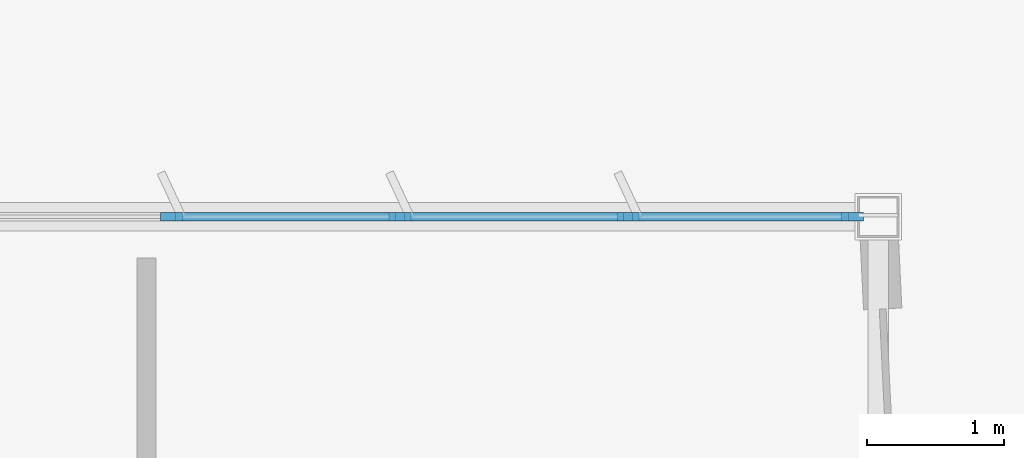
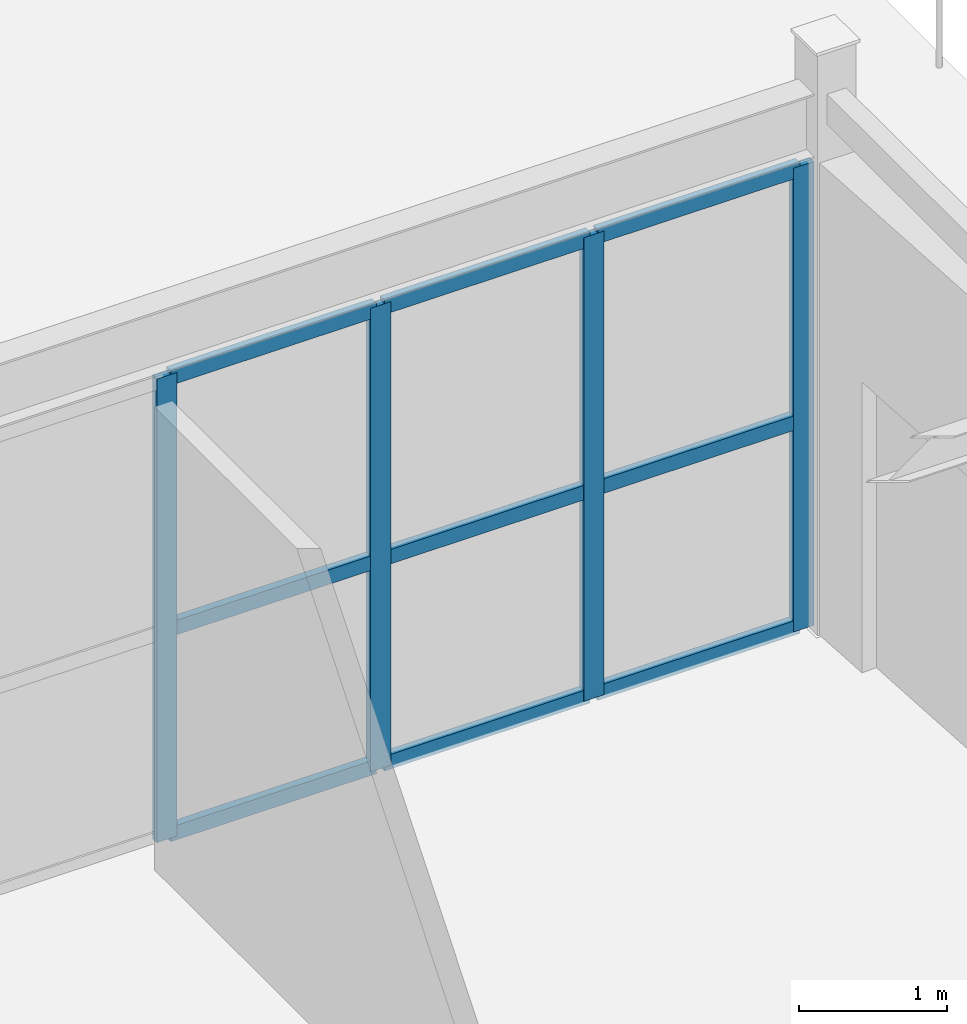
# One storey, part 99 of 199: 13 members, 1 element without a shape of its own.
"""IFC4 building model written with IfcOpenShell, lengths in metres."""

from ifc_helpers import new_model, si_unit, direction, frame, origin, origin_2d, place, context, subcontext, project, spatial, rectangle, extrude, material, layer, layer_set, material_profile, profile_set, type_object, element, aggregate, save


model = new_model("IFC4")

# Units and contexts
model_context = context("Model", 3, precision=1e-05, world=origin(), true_north=direction((0.0, 1.0)))
body_context = subcontext(model_context, "Body", "Model", "MODEL_VIEW")
ifc_project = project(units=[si_unit("LENGTHUNIT", "METRE"), si_unit("AREAUNIT", "SQUARE_METRE"), si_unit("VOLUMEUNIT", "CUBIC_METRE"), si_unit("PLANEANGLEUNIT", "RADIAN"), si_unit("MASSUNIT", "GRAM", prefix="KILO")], contexts=[model_context])

# Site, building, storey
site_placement = place(None, origin())
site = spatial("IfcSite", under=ifc_project, at=site_placement, CompositionType="ELEMENT")
building_placement = place(site_placement, origin())
building = spatial("IfcBuilding", under=site, at=building_placement, Name="Tarnwether General Hospital", CompositionType="ELEMENT")
storey_placement = place(building_placement, origin())
storey = spatial("IfcBuildingStorey", under=building, at=storey_placement, Name="L00", CompositionType="ELEMENT", Elevation=0.0)

# Curtain wall, members
ifc_material_1 = material(Name="Anodised aluminium", Category="aluminium")
ifc_layer = layer(ifc_material_1, 0.159912109375)
ifc_layer_set = layer_set([ifc_layer], Name="Anodised aluminium")
curtain_wall_type = type_object("IfcCurtainWallType", Name="CW-20", PredefinedType="NOTDEFINED", material=ifc_layer_set)
curtain_wall_placement = place(storey_placement, origin())
curtain_wall = element("IfcCurtainWall", 1, at=curtain_wall_placement, inside=storey, type_object=curtain_wall_type, Name="Curtain Wall CWG-L00-1802_456-0289", PredefinedType="NOTDEFINED")
ifc_material_2 = material(Name="Anodised aluminium", Category="aluminium")
ifc_material_profile_1 = material_profile(ifc_material_2, rectangle(XDim=0.06005859375, YDim=0.159912109375, at=origin_2d()), Name="ALU-MUL-60x160")
ifc_profile_set_1 = profile_set([ifc_material_profile_1], Name="Anodised aluminium")
member_type_1 = type_object("IfcMemberType", Name="CW-ML1", PredefinedType="MULLION", material=ifc_profile_set_1)
member_1_placement = place(storey_placement, frame((186.840576171875, 45.60009765625, 0.0), z_axis=(0.0, 0.0, 1.0), x_axis=(0.0, 1.0, 0.0)))
member_1 = element("IfcMember", 2, at=member_1_placement, type_object=member_type_1, Name="CW-20 mullion 5", PredefinedType="MULLION", context=body_context, shape_type="SweptSolid", body=[
    extrude(rectangle(XDim=0.06005859375, YDim=0.159912109375, at=origin_2d()), origin(), (0.0, 0.0, 1.0), 3.827880859375),
])
member_2_placement = place(storey_placement, frame((188.5078125, 45.60009765625, 0.0), z_axis=(0.0, 0.0, 1.0), x_axis=(0.0, 1.0, 0.0)))
member_2 = element("IfcMember", 3, at=member_2_placement, type_object=member_type_1, Name="CW-20 mullion 6", PredefinedType="MULLION", context=body_context, shape_type="SweptSolid", body=[
    extrude(rectangle(XDim=0.06005859375, YDim=0.159912109375, at=origin_2d()), origin(), (0.0, 0.0, 1.0), 3.827880859375),
])
member_3_placement = place(storey_placement, frame((190.1748046875, 45.60009765625, 0.0), z_axis=(0.0, 0.0, 1.0), x_axis=(0.0, 1.0, 0.0)))
member_3 = element("IfcMember", 4, at=member_3_placement, type_object=member_type_1, Name="CW-20 mullion 7", PredefinedType="MULLION", context=body_context, shape_type="SweptSolid", body=[
    extrude(rectangle(XDim=0.06005859375, YDim=0.159912109375, at=origin_2d()), origin(), (0.0, 0.0, 1.0), 3.827880859375),
])
member_4_placement = place(storey_placement, frame((191.81201171875, 45.60009765625, 0.0), z_axis=(0.0, 0.0, 1.0), x_axis=(0.0, 1.0, 0.0)))
member_4 = element("IfcMember", 5, at=member_4_placement, type_object=member_type_1, Name="CW-20 mullion 8", PredefinedType="MULLION", context=body_context, shape_type="SweptSolid", body=[
    extrude(rectangle(XDim=0.06005859375, YDim=0.159912109375, at=origin_2d()), origin(), (0.0, 0.0, 1.0), 3.827880859375),
])
ifc_material_3 = material(Name="Anodised aluminium", Category="aluminium")
ifc_material_profile_2 = material_profile(ifc_material_3, rectangle(XDim=0.06005859375, YDim=0.1201171875, at=origin_2d()), Name="ALU-TRN-60x120")
ifc_profile_set_2 = profile_set([ifc_material_profile_2], Name="Anodised aluminium")
member_type_2 = type_object("IfcMemberType", Name="CW-TR1", PredefinedType="USERDEFINED", material=ifc_profile_set_2)
member_5_placement = place(storey_placement, frame((186.87060546875, 45.60009765625, 0.030029296875), z_axis=(1.0, 0.0, 0.0), x_axis=(0.0, 1.0, 0.0)))
member_5 = element("IfcMember", 6, at=member_5_placement, type_object=member_type_2, Name="CW-20 transom 5.1", ObjectType="TRANSOM", PredefinedType="USERDEFINED", context=body_context, shape_type="SweptSolid", body=[
    extrude(rectangle(XDim=0.06005859375, YDim=0.1201171875, at=origin_2d()), origin(), (0.0, 0.0, 1.0), 1.607177734375),
])
member_6_placement = place(storey_placement, frame((186.87060546875, 45.60009765625, 1.72265625), z_axis=(1.0, 0.0, 0.0), x_axis=(0.0, 1.0, 0.0)))
member_6 = element("IfcMember", 7, at=member_6_placement, type_object=member_type_2, Name="CW-20 transom 5.2", ObjectType="TRANSOM", PredefinedType="USERDEFINED", context=body_context, shape_type="SweptSolid", body=[
    extrude(rectangle(XDim=0.06005859375, YDim=0.1201171875, at=origin_2d()), origin(), (0.0, 0.0, 1.0), 1.607177734375),
])
member_7_placement = place(storey_placement, frame((186.87060546875, 45.60009765625, 3.798095703125), z_axis=(1.0, 0.0, 0.0), x_axis=(0.0, 1.0, 0.0)))
member_7 = element("IfcMember", 8, at=member_7_placement, type_object=member_type_2, Name="CW-20 transom 5.3", ObjectType="TRANSOM", PredefinedType="USERDEFINED", context=body_context, shape_type="SweptSolid", body=[
    extrude(rectangle(XDim=0.06005859375, YDim=0.1201171875, at=origin_2d()), origin(), (0.0, 0.0, 1.0), 1.607177734375),
])
member_8_placement = place(storey_placement, frame((188.53759765625, 45.60009765625, 0.030029296875), z_axis=(1.0, 0.0, 0.0), x_axis=(0.0, 1.0, 0.0)))
member_8 = element("IfcMember", 9, at=member_8_placement, type_object=member_type_2, Name="CW-20 transom 6.1", ObjectType="TRANSOM", PredefinedType="USERDEFINED", context=body_context, shape_type="SweptSolid", body=[
    extrude(rectangle(XDim=0.06005859375, YDim=0.1201171875, at=origin_2d()), origin(), (0.0, 0.0, 1.0), 1.607177734375),
])
member_9_placement = place(storey_placement, frame((188.53759765625, 45.60009765625, 1.72265625), z_axis=(1.0, 0.0, 0.0), x_axis=(0.0, 1.0, 0.0)))
member_9 = element("IfcMember", 10, at=member_9_placement, type_object=member_type_2, Name="CW-20 transom 6.2", ObjectType="TRANSOM", PredefinedType="USERDEFINED", context=body_context, shape_type="SweptSolid", body=[
    extrude(rectangle(XDim=0.06005859375, YDim=0.1201171875, at=origin_2d()), origin(), (0.0, 0.0, 1.0), 1.607177734375),
])
member_10_placement = place(storey_placement, frame((188.53759765625, 45.60009765625, 3.798095703125), z_axis=(1.0, 0.0, 0.0), x_axis=(0.0, 1.0, 0.0)))
member_10 = element("IfcMember", 11, at=member_10_placement, type_object=member_type_2, Name="CW-20 transom 6.3", ObjectType="TRANSOM", PredefinedType="USERDEFINED", context=body_context, shape_type="SweptSolid", body=[
    extrude(rectangle(XDim=0.06005859375, YDim=0.1201171875, at=origin_2d()), origin(), (0.0, 0.0, 1.0), 1.607177734375),
])
member_11_placement = place(storey_placement, frame((190.204833984375, 45.60009765625, 0.030029296875), z_axis=(1.0, 0.0, 0.0), x_axis=(0.0, 1.0, 0.0)))
member_11 = element("IfcMember", 12, at=member_11_placement, type_object=member_type_2, Name="CW-20 transom 7.1", ObjectType="TRANSOM", PredefinedType="USERDEFINED", context=body_context, shape_type="SweptSolid", body=[
    extrude(rectangle(XDim=0.06005859375, YDim=0.1201171875, at=origin_2d()), origin(), (0.0, 0.0, 1.0), 1.5771484375),
])
member_12_placement = place(storey_placement, frame((190.204833984375, 45.60009765625, 1.72265625), z_axis=(1.0, 0.0, 0.0), x_axis=(0.0, 1.0, 0.0)))
member_12 = element("IfcMember", 13, at=member_12_placement, type_object=member_type_2, Name="CW-20 transom 7.2", ObjectType="TRANSOM", PredefinedType="USERDEFINED", context=body_context, shape_type="SweptSolid", body=[
    extrude(rectangle(XDim=0.06005859375, YDim=0.1201171875, at=origin_2d()), origin(), (0.0, 0.0, 1.0), 1.5771484375),
])
member_13_placement = place(storey_placement, frame((190.204833984375, 45.60009765625, 3.798095703125), z_axis=(1.0, 0.0, 0.0), x_axis=(0.0, 1.0, 0.0)))
member_13 = element("IfcMember", 14, at=member_13_placement, type_object=member_type_2, Name="CW-20 transom 7.3", ObjectType="TRANSOM", PredefinedType="USERDEFINED", context=body_context, shape_type="SweptSolid", body=[
    extrude(rectangle(XDim=0.06005859375, YDim=0.1201171875, at=origin_2d()), origin(), (0.0, 0.0, 1.0), 1.5771484375),
])
aggregate(curtain_wall, [member_1, member_2, member_3, member_4, member_5, member_6, member_7, member_8, member_9, member_10, member_11, member_12, member_13])

save(model, "model.ifc")
